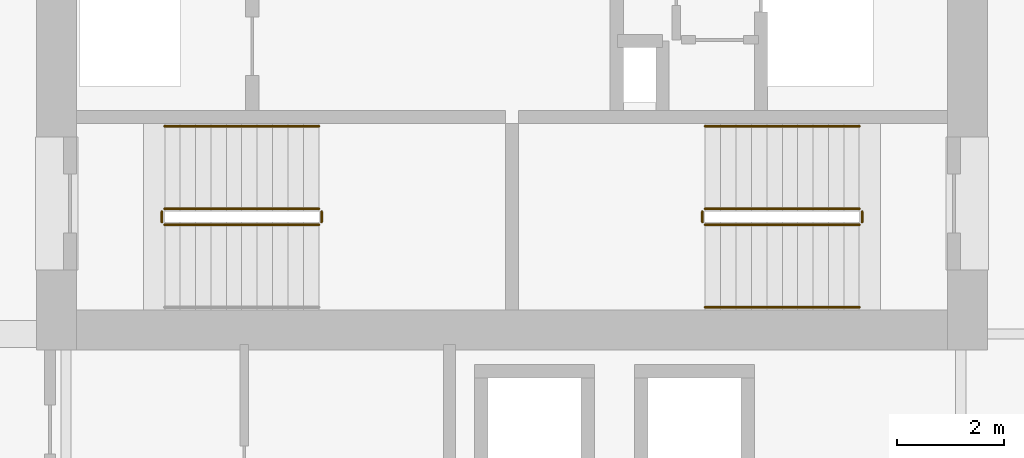
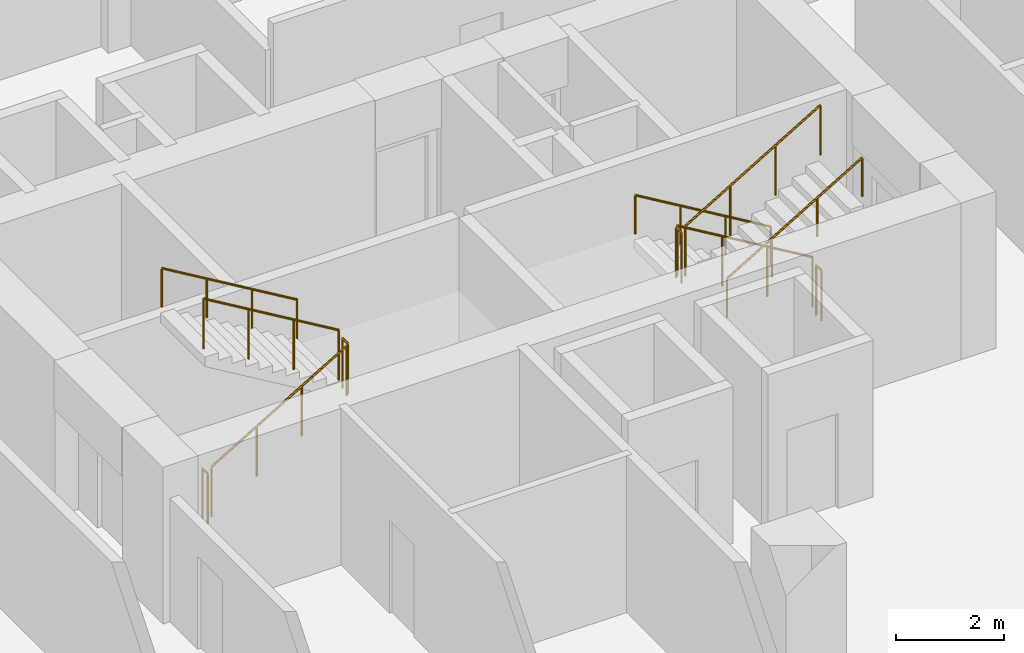
# One storey, part 16 of 18: 11 railings.
"""IFC4 building model written with IfcOpenShell, lengths in metres."""

import ifcopenshell
import ifcopenshell.guid

model = None  # the IFC model being written
_history = None  # IfcOwnerHistory: only IFC2X3 demands one
_inside = {}  # id of a spatial element -> (the spatial element, [elements in it])
_under = {}  # id of a project, library or spatial element -> (it, [spatial elements below it])
_declared = {}  # id of a project -> (the project, [libraries it declares])
_typed = {}  # id of a type object -> (the type object, [elements of that type])
_made_of = {}  # id of a material, layer set ... -> (it, [elements and type objects made of it])


def new_model(schema):
    """Start an empty IFC model of exactly this schema.

    Asked for "IFC4X3", IfcOpenShell would pick the latest addendum, in which some entities
    have other attributes; the version numbers below select the first issue.
    IFC2X3 requires an IfcOwnerHistory on every rooted entity: one is made here for all.
    """
    global model, _history
    if schema == "IFC4X3":
        model = ifcopenshell.file(schema_version=(4, 3, 0, 0))
    else:
        model = ifcopenshell.file(schema=schema)
    _inside.clear()
    _under.clear()
    _declared.clear()
    _typed.clear()
    _made_of.clear()
    _history = None
    if model.schema == "IFC2X3":
        org = make("IfcOrganization", Name="unknown")
        user = make(
            "IfcPersonAndOrganization",
            ThePerson=make("IfcPerson", FamilyName="unknown"),
            TheOrganization=org,
        )
        app = make(
            "IfcApplication",
            ApplicationDeveloper=org,
            Version="unknown",
            ApplicationFullName="unknown",
            ApplicationIdentifier="unknown",
        )
        _history = make(
            "IfcOwnerHistory",
            OwningUser=user,
            OwningApplication=app,
            ChangeAction="ADDED",
            CreationDate=0,
        )
    return model


def make(cls, **values):
    """One entity of the class cls with the attributes given. An attribute that is None is left unset."""
    return model.create_entity(
        cls, **{name: value for name, value in values.items() if value is not None}
    )


def rooted(cls, **values):
    """An entity with a GlobalId (a new one), such as an element, a storey or a relation."""
    return make(cls, GlobalId=ifcopenshell.guid.new(), OwnerHistory=_history, **values)


def si_unit(unit_type, name, prefix=None):
    """IfcSIUnit, for example si_unit("LENGTHUNIT", "METRE", prefix="MILLI")."""
    return make("IfcSIUnit", UnitType=unit_type, Prefix=prefix, Name=name)


def assignment(units):
    """IfcUnitAssignment: the units of a project."""
    return None if units is None else make("IfcUnitAssignment", Units=units)


def point(xyz):
    """IfcCartesianPoint."""
    return None if xyz is None else make("IfcCartesianPoint", Coordinates=xyz)


def direction(xyz):
    """IfcDirection."""
    return None if xyz is None else make("IfcDirection", DirectionRatios=xyz)


def frame(location, z_axis=None, x_axis=None):
    """IfcAxis2Placement3D, a coordinate frame: its origin and axes. An axis left out is left unset."""
    return make(
        "IfcAxis2Placement3D",
        Location=point(location),
        Axis=direction(z_axis),
        RefDirection=direction(x_axis),
    )


def frame_2d(location, x_axis=None):
    """IfcAxis2Placement2D, a coordinate frame in the plane: its origin and x axis."""
    return make(
        "IfcAxis2Placement2D", Location=point(location), RefDirection=direction(x_axis)
    )


def origin():
    """The frame at (0, 0, 0) with its axes left unset."""
    return frame((0.0, 0.0, 0.0))


def origin_2d():
    """The frame at (0, 0) in the plane with its x axis left unset."""
    return frame_2d((0.0, 0.0))


def place(relative_to, where):
    """IfcLocalPlacement: puts the frame where relative to a parent placement (None: the world)."""
    return make(
        "IfcLocalPlacement", PlacementRelTo=relative_to, RelativePlacement=where
    )


def context(
    kind, dimensions, precision=None, world=None, true_north=None, identifier=None
):
    """IfcGeometricRepresentationContext, for example the 3D "Model" context."""
    return make(
        "IfcGeometricRepresentationContext",
        ContextIdentifier=identifier,
        ContextType=kind,
        CoordinateSpaceDimension=dimensions,
        Precision=precision,
        WorldCoordinateSystem=world,
        TrueNorth=true_north,
    )


def subcontext(parent, identifier, kind, view, scale=None):
    """IfcGeometricRepresentationSubContext, for example "Body" below "Model"."""
    return make(
        "IfcGeometricRepresentationSubContext",
        ContextIdentifier=identifier,
        ContextType=kind,
        ParentContext=parent,
        TargetScale=scale,
        TargetView=view,
    )


def project(units=None, contexts=None):
    """IfcProject with its units and contexts."""
    return rooted(
        "IfcProject",
        Name="project",
        RepresentationContexts=contexts,
        UnitsInContext=assignment(units),
    )


def spatial(cls, under=None, at=None, **own):
    """A site, building, storey or space (cls), placed at a placement, below another one or the project."""
    s = rooted(cls, ObjectPlacement=at, **own)
    if under is not None:
        _under.setdefault(under.id(), (under, []))[1].append(s)
    return s


def profile(cls, at=None, kind="AREA", **sizes):
    """A parametric profile (cls). Its sizes go by their IFC names, for example OverallWidth=200.0."""
    return make(cls, ProfileType=kind, Position=at, **sizes)


def circle(**sizes):
    """IfcCircleProfileDef."""
    return profile("IfcCircleProfileDef", **sizes)


def extrude(swept, where, along, depth):
    """IfcExtrudedAreaSolid: the profile swept, set in the frame where, extruded along a direction by depth."""
    return make(
        "IfcExtrudedAreaSolid",
        SweptArea=swept,
        Position=where,
        ExtrudedDirection=direction(along),
        Depth=depth,
    )


def shape(context_of_items, identifier, shape_type, items):
    """IfcShapeRepresentation: the items that make up one representation, for example the "Body"."""
    return make(
        "IfcShapeRepresentation",
        ContextOfItems=context_of_items,
        RepresentationIdentifier=identifier,
        RepresentationType=shape_type,
        Items=items,
    )


def material(Name=None, Category=None):
    """IfcMaterial."""
    return make("IfcMaterial", Name=Name, Category=Category)


def made_of(thing, what):
    """Note that an element or type object is made of a material, layer set ...; save() writes the relation."""
    if what is not None:
        _made_of.setdefault(what.id(), (what, []))[1].append(thing)
    return thing


def type_object(cls, material=None, **own):
    """A type object (cls), such as IfcWallType, which elements share."""
    return made_of(rooted(cls, **own), material)


def element(
    cls,
    number,
    at=None,
    inside=None,
    cuts=None,
    type_object=None,
    material=None,
    context=None,
    identifier="Body",
    shape_type=None,
    held_by="IfcProductDefinitionShape",
    body=None,
    shapes=None,
    **own,
):
    """One element of the class cls, such as IfcWall. Its Tag is "e" and its number.

    at: its placement. inside: the storey or other place that contains it. cuts: it is an
    opening in that element (IfcRelVoidsElement). A single representation is given by context,
    identifier, shape_type and body (its items); several are given by shapes. held_by: the class
    of the entity that holds the representations. save() writes the other relations.
    """
    e = rooted(cls, Tag="e%d" % number, ObjectPlacement=at, **own)
    if body is not None:
        shapes = [shape(context, identifier, shape_type, body)]
    if shapes is not None:
        e.Representation = make(held_by, Representations=shapes)
    if inside is not None:
        _inside.setdefault(inside.id(), (inside, []))[1].append(e)
    if cuts is not None:
        rooted(
            "IfcRelVoidsElement", RelatingBuildingElement=cuts, RelatedOpeningElement=e
        )
    if type_object is not None:
        _typed.setdefault(type_object.id(), (type_object, []))[1].append(e)
    return made_of(e, material)


def aggregate(whole, parts):
    """IfcRelAggregates: a whole, such as a stair, and the parts it consists of."""
    return rooted("IfcRelAggregates", RelatingObject=whole, RelatedObjects=parts)


def save(model, path):
    """Write the relations noted so far, then the file.

    IfcRelAggregates (storeys below a building ...), IfcRelContainedInSpatialStructure (elements
    in a storey), IfcRelDefinesByType, IfcRelAssociatesMaterial and IfcRelDeclares: one each for
    every whole, place, type object, material and project.
    """
    for whole, parts in _under.values():
        aggregate(whole, parts)
    for where, things in _inside.values():
        rooted(
            "IfcRelContainedInSpatialStructure",
            RelatedElements=things,
            RelatingStructure=where,
        )
    for kind, things in _typed.values():
        rooted("IfcRelDefinesByType", RelatedObjects=things, RelatingType=kind)
    for what, things in _made_of.values():
        rooted("IfcRelAssociatesMaterial", RelatedObjects=things, RelatingMaterial=what)
    for by, libraries in _declared.values():
        rooted("IfcRelDeclares", RelatingContext=by, RelatedDefinitions=libraries)
    model.write(path)


model = new_model("IFC4")

# Units and contexts
model_context = context("Model", 3, precision=1e-05, world=origin(), true_north=direction((0.0, 1.0)))
body_context = subcontext(model_context, "Body", "Model", "MODEL_VIEW")
ifc_project = project(units=[si_unit("LENGTHUNIT", "METRE"), si_unit("AREAUNIT", "SQUARE_METRE"), si_unit("VOLUMEUNIT", "CUBIC_METRE"), si_unit("PLANEANGLEUNIT", "RADIAN"), si_unit("MASSUNIT", "GRAM", prefix="KILO")], contexts=[model_context])

# Site, building, storey
site_placement = place(None, origin())
site = spatial("IfcSite", under=ifc_project, at=site_placement, CompositionType="ELEMENT")
building_placement = place(site_placement, origin())
building = spatial("IfcBuilding", under=site, at=building_placement, Name="Koriwani Terraces Tower", CompositionType="ELEMENT")
storey_placement = place(building_placement, frame((0.0, 0.0, 107.60009765625)))
storey = spatial("IfcBuildingStorey", under=building, at=storey_placement, Name="L25", CompositionType="ELEMENT", Elevation=107.60009765625)

# Railings
ifc_material = material(Name="Steel ASTM A572 Grade 50", Category="steel")
railing_type_1 = type_object("IfcRailingType", Name="GUARD_STAIR_WELL_1120", PredefinedType="GUARDRAIL", material=ifc_material)
railing_1_placement = place(storey_placement, frame((43.85009765625, 18.85009765625, 0.172607421875)))
element("IfcRailing", 1, at=railing_1_placement, inside=storey, type_object=railing_type_1, Name="L25 ST-E1 stair guard 1", PredefinedType="GUARDRAIL", context=body_context, shape_type="SweptSolid", body=[
    extrude(circle(Radius=0.02392578125, at=origin_2d()), frame((0.0, 0.0, 1.1259765625), z_axis=(0.859141464434, 0.0, 0.511738159696), x_axis=(0.0, 1.0, 0.0)), (0.0, 0.0, 1.0), 3.375244140625),
    extrude(circle(Radius=0.02099609375, at=origin_2d()), origin(), (0.0, 0.0, 1.0), 1.101806640625),
    extrude(circle(Radius=0.02099609375, at=origin_2d()), frame((0.966552734375, 0.0, 0.57568359375)), (0.0, 0.0, 1.0), 1.101806640625),
    extrude(circle(Radius=0.02099609375, at=origin_2d()), frame((1.933349609375, 0.0, 1.151611328125)), (0.0, 0.0, 1.0), 1.101806640625),
    extrude(circle(Radius=0.02099609375, at=origin_2d()), frame((2.89990234375, 0.0, 1.727294921875)), (0.0, 0.0, 1.0), 1.101806640625),
])
railing_2_placement = place(storey_placement, frame((46.800048828125, 18.89990234375, 1.89990234375)))
element("IfcRailing", 2, at=railing_2_placement, inside=storey, type_object=railing_type_1, Name="L25 ST-E1 stair guard 2", PredefinedType="GUARDRAIL", context=body_context, shape_type="SweptSolid", body=[
    extrude(circle(Radius=0.02392578125, at=origin_2d()), frame((0.0, 0.0, 1.1259765625), z_axis=(0.0, 1.0, 0.0), x_axis=(-1.0, 0.0, 0.0)), (0.0, 0.0, 1.0), 0.2001953125),
    extrude(circle(Radius=0.02099609375, at=origin_2d()), origin(), (0.0, 0.0, 1.0), 1.101806640625),
    extrude(circle(Radius=0.02099609375, at=origin_2d()), frame((0.0, 0.2001953125, 0.0)), (0.0, 0.0, 1.0), 1.101806640625),
])
railing_3_placement = place(storey_placement, frame((46.75, 19.14990234375, 2.072509765625)))
element("IfcRailing", 3, at=railing_3_placement, inside=storey, type_object=railing_type_1, Name="L25 ST-E1 stair guard 3", PredefinedType="GUARDRAIL", context=body_context, shape_type="SweptSolid", body=[
    extrude(circle(Radius=0.02392578125, at=origin_2d()), frame((0.0, 0.0, 1.1259765625), z_axis=(-0.859141464434, 0.0, 0.511738159696), x_axis=(0.0, -1.0, 0.0)), (0.0, 0.0, 1.0), 3.375244140625),
    extrude(circle(Radius=0.02099609375, at=origin_2d()), origin(), (0.0, 0.0, 1.0), 1.101806640625),
    extrude(circle(Radius=0.02099609375, at=origin_2d()), frame((-0.966552734375, 0.0, 0.57568359375)), (0.0, 0.0, 1.0), 1.101806640625),
    extrude(circle(Radius=0.02099609375, at=origin_2d()), frame((-1.933349609375, 0.0, 1.151611328125)), (0.0, 0.0, 1.0), 1.101806640625),
    extrude(circle(Radius=0.02099609375, at=origin_2d()), frame((-2.89990234375, 0.0, 1.727294921875)), (0.0, 0.0, 1.0), 1.101806640625),
])
railing_4_placement = place(storey_placement, frame((43.800048828125, 18.89990234375, 0.0)))
element("IfcRailing", 4, at=railing_4_placement, inside=storey, type_object=railing_type_1, Name="L25 ST-E1 stair guard 4", PredefinedType="GUARDRAIL", context=body_context, shape_type="SweptSolid", body=[
    extrude(circle(Radius=0.02392578125, at=origin_2d()), frame((0.0, 0.0, 1.1259765625), z_axis=(0.0, 1.0, 0.0), x_axis=(-1.0, 0.0, 0.0)), (0.0, 0.0, 1.0), 0.2001953125),
    extrude(circle(Radius=0.02099609375, at=origin_2d()), origin(), (0.0, 0.0, 1.0), 1.101806640625),
    extrude(circle(Radius=0.02099609375, at=origin_2d()), frame((0.0, 0.2001953125, 0.0)), (0.0, 0.0, 1.0), 1.101806640625),
])
railing_5_placement = place(storey_placement, frame((56.89990234375, 19.14990234375, 0.172607421875)))
element("IfcRailing", 5, at=railing_5_placement, inside=storey, type_object=railing_type_1, Name="L25 ST-E2 stair guard 1", PredefinedType="GUARDRAIL", context=body_context, shape_type="SweptSolid", body=[
    extrude(circle(Radius=0.02392578125, at=origin_2d()), frame((0.0, 0.0, 1.1259765625), z_axis=(-0.859141464434, 0.0, 0.511738159696), x_axis=(0.0, -1.0, 0.0)), (0.0, 0.0, 1.0), 3.375244140625),
    extrude(circle(Radius=0.02099609375, at=origin_2d()), origin(), (0.0, 0.0, 1.0), 1.101806640625),
    extrude(circle(Radius=0.02099609375, at=origin_2d()), frame((-0.966552734375, 0.0, 0.57568359375)), (0.0, 0.0, 1.0), 1.101806640625),
    extrude(circle(Radius=0.02099609375, at=origin_2d()), frame((-1.933349609375, 0.0, 1.151611328125)), (0.0, 0.0, 1.0), 1.101806640625),
    extrude(circle(Radius=0.02099609375, at=origin_2d()), frame((-2.89990234375, 0.0, 1.727294921875)), (0.0, 0.0, 1.0), 1.101806640625),
])
railing_6_placement = place(storey_placement, frame((53.949951171875, 19.10009765625, 1.89990234375)))
element("IfcRailing", 6, at=railing_6_placement, inside=storey, type_object=railing_type_1, Name="L25 ST-E2 stair guard 2", PredefinedType="GUARDRAIL", context=body_context, shape_type="SweptSolid", body=[
    extrude(circle(Radius=0.02392578125, at=origin_2d()), frame((0.0, 0.0, 1.1259765625), z_axis=(0.0, -1.0, 0.0), x_axis=(1.0, 0.0, 0.0)), (0.0, 0.0, 1.0), 0.2001953125),
    extrude(circle(Radius=0.02099609375, at=origin_2d()), origin(), (0.0, 0.0, 1.0), 1.101806640625),
    extrude(circle(Radius=0.02099609375, at=origin_2d()), frame((0.0, -0.2001953125, 0.0)), (0.0, 0.0, 1.0), 1.101806640625),
])
railing_7_placement = place(storey_placement, frame((54.0, 18.85009765625, 2.072509765625)))
element("IfcRailing", 7, at=railing_7_placement, inside=storey, type_object=railing_type_1, Name="L25 ST-E2 stair guard 3", PredefinedType="GUARDRAIL", context=body_context, shape_type="SweptSolid", body=[
    extrude(circle(Radius=0.02392578125, at=origin_2d()), frame((0.0, 0.0, 1.1259765625), z_axis=(0.859141464434, 0.0, 0.511738159696), x_axis=(0.0, 1.0, 0.0)), (0.0, 0.0, 1.0), 3.375244140625),
    extrude(circle(Radius=0.02099609375, at=origin_2d()), origin(), (0.0, 0.0, 1.0), 1.101806640625),
    extrude(circle(Radius=0.02099609375, at=origin_2d()), frame((0.966552734375, 0.0, 0.57568359375)), (0.0, 0.0, 1.0), 1.101806640625),
    extrude(circle(Radius=0.02099609375, at=origin_2d()), frame((1.933349609375, 0.0, 1.151611328125)), (0.0, 0.0, 1.0), 1.101806640625),
    extrude(circle(Radius=0.02099609375, at=origin_2d()), frame((2.89990234375, 0.0, 1.727294921875)), (0.0, 0.0, 1.0), 1.101806640625),
])
railing_8_placement = place(storey_placement, frame((56.949951171875, 19.10009765625, 0.0)))
element("IfcRailing", 8, at=railing_8_placement, inside=storey, type_object=railing_type_1, Name="L25 ST-E2 stair guard 4", PredefinedType="GUARDRAIL", context=body_context, shape_type="SweptSolid", body=[
    extrude(circle(Radius=0.02392578125, at=origin_2d()), frame((0.0, 0.0, 1.1259765625), z_axis=(0.0, -1.0, 0.0), x_axis=(1.0, 0.0, 0.0)), (0.0, 0.0, 1.0), 0.2001953125),
    extrude(circle(Radius=0.02099609375, at=origin_2d()), origin(), (0.0, 0.0, 1.0), 1.101806640625),
    extrude(circle(Radius=0.02099609375, at=origin_2d()), frame((0.0, -0.2001953125, 0.0)), (0.0, 0.0, 1.0), 1.101806640625),
])
railing_type_2 = type_object("IfcRailingType", Name="HANDRAIL_STAIR_920", PredefinedType="HANDRAIL", material=ifc_material)
for number, where, name in (
    (9, (46.75, 20.699951171875, 2.072509765625), "L25 ST-E1 stair handrail 2"),
    (10, (56.89990234375, 20.699951171875, 0.172607421875), "L25 ST-E2 stair handrail 1"),
):
    element("IfcRailing", number, at=place(storey_placement, frame(where)), inside=storey, type_object=railing_type_2, Name=name, PredefinedType="HANDRAIL", context=body_context, shape_type="SweptSolid", body=[
        extrude(circle(Radius=0.02392578125, at=origin_2d()), frame((0.0, 0.0, 0.8759765625), z_axis=(-0.859141464434, 0.0, 0.511738159696), x_axis=(0.0, -1.0, 0.0)), (0.0, 0.0, 1.0), 3.375244140625),
        extrude(circle(Radius=0.02099609375, at=origin_2d()), origin(), (0.0, 0.0, 1.0), 0.851806640625),
        extrude(circle(Radius=0.02099609375, at=origin_2d()), frame((-0.966552734375, 0.0, 0.57568359375)), (0.0, 0.0, 1.0), 0.851806640625),
        extrude(circle(Radius=0.02099609375, at=origin_2d()), frame((-1.933349609375, 0.0, 1.151611328125)), (0.0, 0.0, 1.0), 0.851806640625),
        extrude(circle(Radius=0.02099609375, at=origin_2d()), frame((-2.89990234375, 0.0, 1.727294921875)), (0.0, 0.0, 1.0), 0.851806640625),
    ])
railing_9_placement = place(storey_placement, frame((54.0, 17.300048828125, 2.072509765625)))
element("IfcRailing", 11, at=railing_9_placement, inside=storey, type_object=railing_type_2, Name="L25 ST-E2 stair handrail 2", PredefinedType="HANDRAIL", context=body_context, shape_type="SweptSolid", body=[
    extrude(circle(Radius=0.02392578125, at=origin_2d()), frame((0.0, 0.0, 0.8759765625), z_axis=(0.859141464434, 0.0, 0.511738159696), x_axis=(0.0, 1.0, 0.0)), (0.0, 0.0, 1.0), 3.375244140625),
    extrude(circle(Radius=0.02099609375, at=origin_2d()), origin(), (0.0, 0.0, 1.0), 0.851806640625),
    extrude(circle(Radius=0.02099609375, at=origin_2d()), frame((0.966552734375, 0.0, 0.57568359375)), (0.0, 0.0, 1.0), 0.851806640625),
    extrude(circle(Radius=0.02099609375, at=origin_2d()), frame((1.933349609375, 0.0, 1.151611328125)), (0.0, 0.0, 1.0), 0.851806640625),
    extrude(circle(Radius=0.02099609375, at=origin_2d()), frame((2.89990234375, 0.0, 1.727294921875)), (0.0, 0.0, 1.0), 0.851806640625),
])

save(model, "model.ifc")
